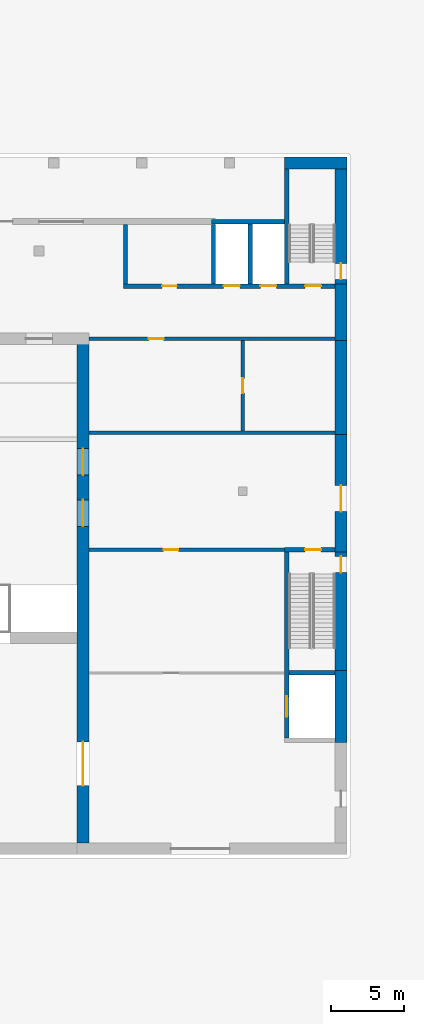
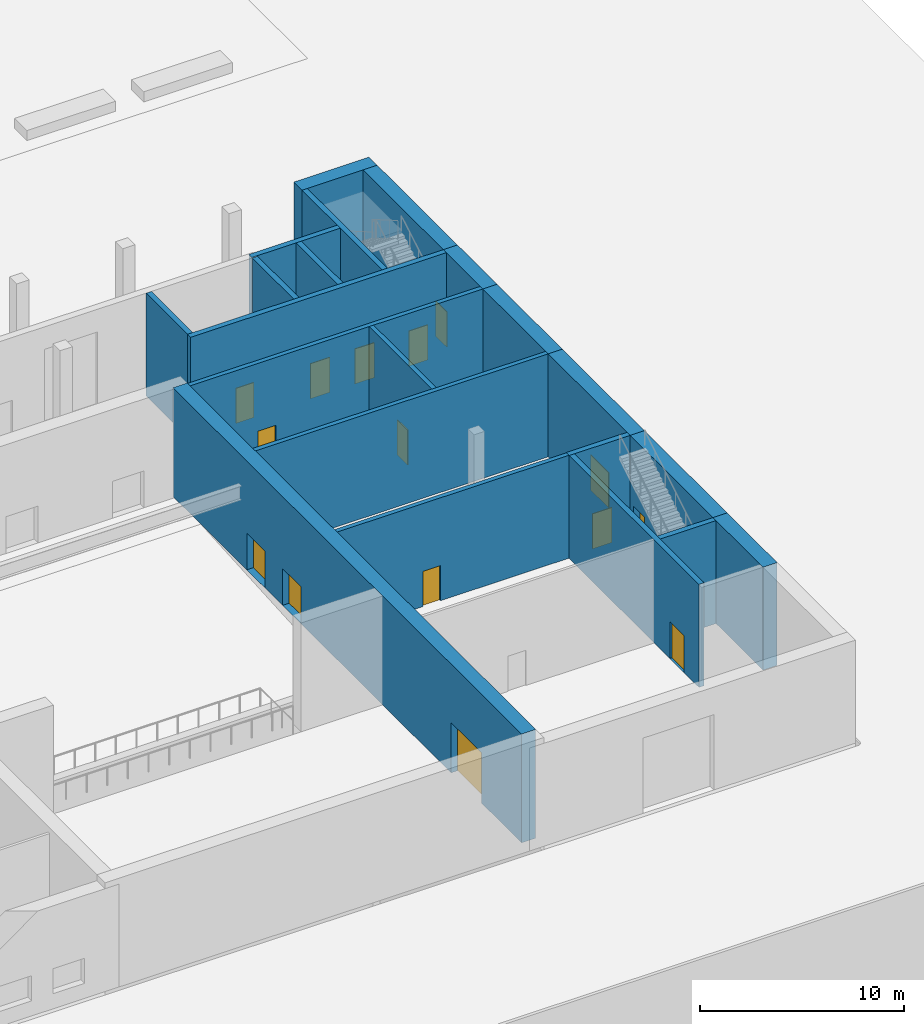
# One storey, part 31 of 51: 21 walls, 15 doors, 15 openings.
"""IFC4 building model written with IfcOpenShell, lengths in metres."""

import ifcopenshell
import ifcopenshell.guid

model = None  # the IFC model being written
_history = None  # IfcOwnerHistory: only IFC2X3 demands one
_inside = {}  # id of a spatial element -> (the spatial element, [elements in it])
_under = {}  # id of a project, library or spatial element -> (it, [spatial elements below it])
_declared = {}  # id of a project -> (the project, [libraries it declares])
_typed = {}  # id of a type object -> (the type object, [elements of that type])
_made_of = {}  # id of a material, layer set ... -> (it, [elements and type objects made of it])


def new_model(schema):
    """Start an empty IFC model of exactly this schema.

    Asked for "IFC4X3", IfcOpenShell would pick the latest addendum, in which some entities
    have other attributes; the version numbers below select the first issue.
    IFC2X3 requires an IfcOwnerHistory on every rooted entity: one is made here for all.
    """
    global model, _history
    if schema == "IFC4X3":
        model = ifcopenshell.file(schema_version=(4, 3, 0, 0))
    else:
        model = ifcopenshell.file(schema=schema)
    _inside.clear()
    _under.clear()
    _declared.clear()
    _typed.clear()
    _made_of.clear()
    _history = None
    if model.schema == "IFC2X3":
        org = make("IfcOrganization", Name="unknown")
        user = make(
            "IfcPersonAndOrganization",
            ThePerson=make("IfcPerson", FamilyName="unknown"),
            TheOrganization=org,
        )
        app = make(
            "IfcApplication",
            ApplicationDeveloper=org,
            Version="unknown",
            ApplicationFullName="unknown",
            ApplicationIdentifier="unknown",
        )
        _history = make(
            "IfcOwnerHistory",
            OwningUser=user,
            OwningApplication=app,
            ChangeAction="ADDED",
            CreationDate=0,
        )
    return model


def make(cls, **values):
    """One entity of the class cls with the attributes given. An attribute that is None is left unset."""
    return model.create_entity(
        cls, **{name: value for name, value in values.items() if value is not None}
    )


def rooted(cls, **values):
    """An entity with a GlobalId (a new one), such as an element, a storey or a relation."""
    return make(cls, GlobalId=ifcopenshell.guid.new(), OwnerHistory=_history, **values)


def si_unit(unit_type, name, prefix=None):
    """IfcSIUnit, for example si_unit("LENGTHUNIT", "METRE", prefix="MILLI")."""
    return make("IfcSIUnit", UnitType=unit_type, Prefix=prefix, Name=name)


def assignment(units):
    """IfcUnitAssignment: the units of a project."""
    return None if units is None else make("IfcUnitAssignment", Units=units)


def point(xyz):
    """IfcCartesianPoint."""
    return None if xyz is None else make("IfcCartesianPoint", Coordinates=xyz)


def direction(xyz):
    """IfcDirection."""
    return None if xyz is None else make("IfcDirection", DirectionRatios=xyz)


def frame(location, z_axis=None, x_axis=None):
    """IfcAxis2Placement3D, a coordinate frame: its origin and axes. An axis left out is left unset."""
    return make(
        "IfcAxis2Placement3D",
        Location=point(location),
        Axis=direction(z_axis),
        RefDirection=direction(x_axis),
    )


def frame_2d(location, x_axis=None):
    """IfcAxis2Placement2D, a coordinate frame in the plane: its origin and x axis."""
    return make(
        "IfcAxis2Placement2D", Location=point(location), RefDirection=direction(x_axis)
    )


def origin():
    """The frame at (0, 0, 0) with its axes left unset."""
    return frame((0.0, 0.0, 0.0))


def place(relative_to, where):
    """IfcLocalPlacement: puts the frame where relative to a parent placement (None: the world)."""
    return make(
        "IfcLocalPlacement", PlacementRelTo=relative_to, RelativePlacement=where
    )


def context(
    kind, dimensions, precision=None, world=None, true_north=None, identifier=None
):
    """IfcGeometricRepresentationContext, for example the 3D "Model" context."""
    return make(
        "IfcGeometricRepresentationContext",
        ContextIdentifier=identifier,
        ContextType=kind,
        CoordinateSpaceDimension=dimensions,
        Precision=precision,
        WorldCoordinateSystem=world,
        TrueNorth=true_north,
    )


def subcontext(parent, identifier, kind, view, scale=None):
    """IfcGeometricRepresentationSubContext, for example "Body" below "Model"."""
    return make(
        "IfcGeometricRepresentationSubContext",
        ContextIdentifier=identifier,
        ContextType=kind,
        ParentContext=parent,
        TargetScale=scale,
        TargetView=view,
    )


def project(units=None, contexts=None):
    """IfcProject with its units and contexts."""
    return rooted(
        "IfcProject",
        Name="project",
        RepresentationContexts=contexts,
        UnitsInContext=assignment(units),
    )


def spatial(cls, under=None, at=None, **own):
    """A site, building, storey or space (cls), placed at a placement, below another one or the project."""
    s = rooted(cls, ObjectPlacement=at, **own)
    if under is not None:
        _under.setdefault(under.id(), (under, []))[1].append(s)
    return s


def profile(cls, at=None, kind="AREA", **sizes):
    """A parametric profile (cls). Its sizes go by their IFC names, for example OverallWidth=200.0."""
    return make(cls, ProfileType=kind, Position=at, **sizes)


def rectangle(**sizes):
    """IfcRectangleProfileDef."""
    return profile("IfcRectangleProfileDef", **sizes)


def extrude(swept, where, along, depth):
    """IfcExtrudedAreaSolid: the profile swept, set in the frame where, extruded along a direction by depth."""
    return make(
        "IfcExtrudedAreaSolid",
        SweptArea=swept,
        Position=where,
        ExtrudedDirection=direction(along),
        Depth=depth,
    )


def shape(context_of_items, identifier, shape_type, items):
    """IfcShapeRepresentation: the items that make up one representation, for example the "Body"."""
    return make(
        "IfcShapeRepresentation",
        ContextOfItems=context_of_items,
        RepresentationIdentifier=identifier,
        RepresentationType=shape_type,
        Items=items,
    )


def material(Name=None, Category=None):
    """IfcMaterial."""
    return make("IfcMaterial", Name=Name, Category=Category)


def layer(
    of_material, thickness, ventilated=None, Name=None, Category=None, Priority=None
):
    """IfcMaterialLayer: one layer of a wall or slab, of a material (None: an air gap)."""
    return make(
        "IfcMaterialLayer",
        Material=of_material,
        LayerThickness=thickness,
        IsVentilated=ventilated,
        Name=Name,
        Category=Category,
        Priority=Priority,
    )


def layer_set(layers, Name=None):
    """IfcMaterialLayerSet."""
    return make("IfcMaterialLayerSet", MaterialLayers=layers, LayerSetName=Name)


def made_of(thing, what):
    """Note that an element or type object is made of a material, layer set ...; save() writes the relation."""
    if what is not None:
        _made_of.setdefault(what.id(), (what, []))[1].append(thing)
    return thing


def type_object(cls, material=None, **own):
    """A type object (cls), such as IfcWallType, which elements share."""
    return made_of(rooted(cls, **own), material)


def element(
    cls,
    number,
    at=None,
    inside=None,
    cuts=None,
    type_object=None,
    material=None,
    context=None,
    identifier="Body",
    shape_type=None,
    held_by="IfcProductDefinitionShape",
    body=None,
    shapes=None,
    **own,
):
    """One element of the class cls, such as IfcWall. Its Tag is "e" and its number.

    at: its placement. inside: the storey or other place that contains it. cuts: it is an
    opening in that element (IfcRelVoidsElement). A single representation is given by context,
    identifier, shape_type and body (its items); several are given by shapes. held_by: the class
    of the entity that holds the representations. save() writes the other relations.
    """
    e = rooted(cls, Tag="e%d" % number, ObjectPlacement=at, **own)
    if body is not None:
        shapes = [shape(context, identifier, shape_type, body)]
    if shapes is not None:
        e.Representation = make(held_by, Representations=shapes)
    if inside is not None:
        _inside.setdefault(inside.id(), (inside, []))[1].append(e)
    if cuts is not None:
        rooted(
            "IfcRelVoidsElement", RelatingBuildingElement=cuts, RelatedOpeningElement=e
        )
    if type_object is not None:
        _typed.setdefault(type_object.id(), (type_object, []))[1].append(e)
    return made_of(e, material)


def fill(opening, filler):
    """IfcRelFillsElement: the door or window that sits in an opening."""
    return rooted(
        "IfcRelFillsElement",
        RelatingOpeningElement=opening,
        RelatedBuildingElement=filler,
    )


def aggregate(whole, parts):
    """IfcRelAggregates: a whole, such as a stair, and the parts it consists of."""
    return rooted("IfcRelAggregates", RelatingObject=whole, RelatedObjects=parts)


def save(model, path):
    """Write the relations noted so far, then the file.

    IfcRelAggregates (storeys below a building ...), IfcRelContainedInSpatialStructure (elements
    in a storey), IfcRelDefinesByType, IfcRelAssociatesMaterial and IfcRelDeclares: one each for
    every whole, place, type object, material and project.
    """
    for whole, parts in _under.values():
        aggregate(whole, parts)
    for where, things in _inside.values():
        rooted(
            "IfcRelContainedInSpatialStructure",
            RelatedElements=things,
            RelatingStructure=where,
        )
    for kind, things in _typed.values():
        rooted("IfcRelDefinesByType", RelatedObjects=things, RelatingType=kind)
    for what, things in _made_of.values():
        rooted("IfcRelAssociatesMaterial", RelatedObjects=things, RelatingMaterial=what)
    for by, libraries in _declared.values():
        rooted("IfcRelDeclares", RelatingContext=by, RelatedDefinitions=libraries)
    model.write(path)


model = new_model("IFC4")

# Units and contexts
model_context = context("Model", 3, precision=1e-05, world=origin(), true_north=direction((0.0, 1.0)))
body_context = subcontext(model_context, "Body", "Model", "MODEL_VIEW")
ifc_project = project(units=[si_unit("LENGTHUNIT", "METRE"), si_unit("AREAUNIT", "SQUARE_METRE"), si_unit("VOLUMEUNIT", "CUBIC_METRE"), si_unit("PLANEANGLEUNIT", "RADIAN"), si_unit("MASSUNIT", "GRAM", prefix="KILO")], contexts=[model_context])

# Site, building, storey
site_placement = place(None, origin())
site = spatial("IfcSite", under=ifc_project, at=site_placement, CompositionType="ELEMENT")
building_placement = place(site_placement, origin())
building = spatial("IfcBuilding", under=site, at=building_placement, Name="Kiln Ring Residences", CompositionType="ELEMENT")
storey_placement = place(building_placement, origin())
storey = spatial("IfcBuildingStorey", under=building, at=storey_placement, Name="L00", CompositionType="ELEMENT", Elevation=0.0)

# Wall, openings, doors
ifc_material_1 = material(Name="Concrete C40/50", Category="concrete")
ifc_layer_1 = layer(ifc_material_1, 0.800048828125)
ifc_layer_set_1 = layer_set([ifc_layer_1], Name="Hall Board-marked concrete C40/50 hall wall 800 internal")
wall_type_1 = type_object("IfcWallType", Name="Hall Board-marked concrete C40/50 hall wall 800 internal", PredefinedType="SOLIDWALL", material=ifc_layer_set_1)
wall_1_placement = place(storey_placement, frame((12.0, -159.199951171875, 0.0), z_axis=(0.0, 0.0, 1.0), x_axis=(0.0, 1.0, 0.0)))
wall_1 = element("IfcWall", 1, at=wall_1_placement, inside=storey, type_object=wall_type_1, Name="Hall wall L00 45", PredefinedType="SOLIDWALL", context=body_context, shape_type="SweptSolid", body=[
    extrude(rectangle(XDim=34.125, YDim=0.800048828125, at=frame_2d((17.0625, 0.0))), origin(), (0.0, 0.0, 1.0), 6.5),
])
opening_1_placement = place(wall_1_placement, frame((21.60009765625, 0.0, 0.0)))
opening_1 = element("IfcOpeningElement", 2, at=opening_1_placement, cuts=wall_1, Name="Opening L00-31", PredefinedType="OPENING", context=body_context, shape_type="SweptSolid", body=[
    extrude(rectangle(XDim=1.800048828125, YDim=2.199951171875, at=frame_2d((0.89990234375, 1.10009765625))), frame((0.0, 0.409912109375, 0.0), z_axis=(0.0, -1.0, 0.0), x_axis=(1.0, 0.0, 0.0)), (0.0, 0.0, 1.0), 0.820068359375),
])
opening_2_placement = place(wall_1_placement, frame((25.10009765625, 0.0, 0.0)))
opening_2 = element("IfcOpeningElement", 3, at=opening_2_placement, cuts=wall_1, Name="Opening L00-32", PredefinedType="OPENING", context=body_context, shape_type="SweptSolid", body=[
    extrude(rectangle(XDim=1.800048828125, YDim=2.199951171875, at=frame_2d((0.89990234375, 1.10009765625))), frame((0.0, 0.409912109375, 0.0), z_axis=(0.0, -1.0, 0.0), x_axis=(1.0, 0.0, 0.0)), (0.0, 0.0, 1.0), 0.820068359375),
])
opening_3_placement = place(wall_1_placement, frame((3.89990234375, 0.0, 0.0)))
opening_3 = element("IfcOpeningElement", 4, at=opening_3_placement, cuts=wall_1, Name="Opening L00-47", PredefinedType="OPENING", context=body_context, shape_type="SweptSolid", body=[
    extrude(rectangle(XDim=3.0, YDim=3.0, at=frame_2d((1.5, 1.5))), frame((0.0, 0.409912109375, 0.0), z_axis=(0.0, -1.0, 0.0), x_axis=(1.0, 0.0, 0.0)), (0.0, 0.0, 1.0), 0.820068359375),
])
ifc_material_2 = material(Name="Steel door leaf", Category="steel")
door_type_1 = type_object("IfcDoorType", Name="Hall Auditorium double door 1800 x 2200", OperationType="DOUBLE_DOOR_SINGLE_SWING", PredefinedType="DOOR", material=ifc_material_2)
door_1_placement = place(opening_1_placement, origin())
door_1 = element("IfcDoor", 5, at=door_1_placement, inside=storey, type_object=door_type_1, Name="Hall door L00-31", OperationType="DOUBLE_DOOR_SINGLE_SWING", OverallHeight=2.199951171875, OverallWidth=1.800048828125, PredefinedType="DOOR", context=body_context, shape_type="SweptSolid", body=[
    extrude(rectangle(XDim=1.800048828125, YDim=2.199951171875, at=frame_2d((0.89990234375, 1.10009765625))), frame((0.0, 0.02490234375, 0.0), z_axis=(0.0, -1.0, 0.0), x_axis=(1.0, 0.0, 0.0)), (0.0, 0.0, 1.0), 0.050048828125),
])
fill(opening_1, door_1)
door_2_placement = place(opening_2_placement, origin())
door_2 = element("IfcDoor", 6, at=door_2_placement, inside=storey, type_object=door_type_1, Name="Hall door L00-32", OperationType="DOUBLE_DOOR_SINGLE_SWING", OverallHeight=2.199951171875, OverallWidth=1.800048828125, PredefinedType="DOOR", context=body_context, shape_type="SweptSolid", body=[
    extrude(rectangle(XDim=1.800048828125, YDim=2.199951171875, at=frame_2d((0.89990234375, 1.10009765625))), frame((0.0, 0.02490234375, 0.0), z_axis=(0.0, -1.0, 0.0), x_axis=(1.0, 0.0, 0.0)), (0.0, 0.0, 1.0), 0.050048828125),
])
fill(opening_2, door_2)
ifc_material_3 = material(Name="Steel door leaf", Category="steel")
door_type_2 = type_object("IfcDoorType", Name="Hall Stage door 3000 x 3000", OperationType="DOUBLE_DOOR_DOUBLE_SWING", PredefinedType="DOOR", material=ifc_material_3)
door_3_placement = place(opening_3_placement, origin())
door_3 = element("IfcDoor", 7, at=door_3_placement, inside=storey, type_object=door_type_2, Name="Hall door L00-47", OperationType="DOUBLE_DOOR_DOUBLE_SWING", OverallHeight=3.0, OverallWidth=3.0, PredefinedType="DOOR", context=body_context, shape_type="SweptSolid", body=[
    extrude(rectangle(XDim=3.0, YDim=3.0, at=frame_2d((1.5, 1.5))), frame((0.0, 0.02490234375, 0.0), z_axis=(0.0, -1.0, 0.0), x_axis=(1.0, 0.0, 0.0)), (0.0, 0.0, 1.0), 0.050048828125),
])
fill(opening_3, door_3)

# Walls
ifc_material_4 = material(Name="Concrete C40/50", Category="concrete")
ifc_layer_2 = layer(ifc_material_4, 0.800048828125)
ifc_layer_set_2 = layer_set([ifc_layer_2], Name="Hall Exposed brick-faced reinforced concrete C40/50 wall 800")
wall_type_2 = type_object("IfcWallType", Name="Hall Exposed brick-faced reinforced concrete C40/50 wall 800", PredefinedType="SOLIDWALL", material=ifc_layer_set_2)
wall_2_placement = place(storey_placement, frame((25.75, -112.800048828125, 0.0), z_axis=(0.0, 0.0, 1.0), x_axis=(1.0, 0.0, 0.0)))
element("IfcWall", 8, at=wall_2_placement, inside=storey, type_object=wall_type_2, Name="Hall wall L00 29", PredefinedType="SOLIDWALL", context=body_context, shape_type="SweptSolid", body=[
    extrude(rectangle(XDim=4.25, YDim=0.800048828125, at=frame_2d((2.125, 0.0))), origin(), (0.0, 0.0, 1.0), 6.14990234375),
])
wall_3_placement = place(storey_placement, frame((29.60009765625, -147.4501953125, 0.0), z_axis=(0.0, 0.0, 1.0), x_axis=(0.0, -1.0, 0.0)))
element("IfcWall", 9, at=wall_3_placement, inside=storey, type_object=wall_type_2, Name="Hall wall L00 53", PredefinedType="SOLIDWALL", context=body_context, shape_type="SweptSolid", body=[
    extrude(rectangle(XDim=4.899658203125, YDim=0.800048828125, at=frame_2d((2.44970703125, 0.0))), origin(), (0.0, 0.0, 1.0), 6.14990234375),
])

# Wall, opening, door
wall_4_placement = place(storey_placement, frame((29.60009765625, -139.050048828125, 0.0), z_axis=(0.0, 0.0, 1.0), x_axis=(0.0, -1.0, 0.0)))
wall_4 = element("IfcWall", 10, at=wall_4_placement, inside=storey, type_object=wall_type_2, Name="Hall wall L00 54", PredefinedType="SOLIDWALL", context=body_context, shape_type="SweptSolid", body=[
    extrude(rectangle(XDim=8.699951171875, YDim=0.800048828125, at=frame_2d((4.35009765625, 0.0))), origin(), (0.0, 0.0, 1.0), 6.14990234375),
])
opening_4_placement = place(wall_4_placement, frame((0.60009765625, 0.0, 0.0)))
opening_4 = element("IfcOpeningElement", 11, at=opening_4_placement, cuts=wall_4, Name="Opening L00-22", PredefinedType="OPENING", context=body_context, shape_type="SweptSolid", body=[
    extrude(rectangle(XDim=1.10009765625, YDim=2.10009765625, at=frame_2d((0.550048828125, 1.050048828125))), frame((0.0, 0.409912109375, 0.0), z_axis=(0.0, -1.0, 0.0), x_axis=(1.0, 0.0, 0.0)), (0.0, 0.0, 1.0), 0.820068359375),
])
ifc_material_5 = material(Name="Aluminium framed glazed door", Category="aluminium")
door_type_3 = type_object("IfcDoorType", Name="Hall Exit door 1100 x 2100", OperationType="SINGLE_SWING_LEFT", PredefinedType="DOOR", material=ifc_material_5)
door_4_placement = place(opening_4_placement, origin())
door_4 = element("IfcDoor", 12, at=door_4_placement, inside=storey, type_object=door_type_3, Name="Hall door L00-22", OperationType="SINGLE_SWING_RIGHT", OverallHeight=2.10009765625, OverallWidth=1.10009765625, PredefinedType="DOOR", context=body_context, shape_type="SweptSolid", body=[
    extrude(rectangle(XDim=1.10009765625, YDim=2.10009765625, at=frame_2d((0.550048828125, 1.050048828125))), frame((0.0, 0.02490234375, 0.0), z_axis=(0.0, -1.0, 0.0), x_axis=(1.0, 0.0, 0.0)), (0.0, 0.0, 1.0), 0.050048828125),
])
fill(opening_4, door_4)

wall_5_placement = place(storey_placement, frame((29.60009765625, -131.0751953125, 0.0), z_axis=(0.0, 0.0, 1.0), x_axis=(0.0, -1.0, 0.0)))
wall_5 = element("IfcWall", 13, at=wall_5_placement, inside=storey, type_object=wall_type_2, Name="Hall wall L00 55", PredefinedType="SOLIDWALL", context=body_context, shape_type="SweptSolid", body=[
    extrude(rectangle(XDim=8.274658203125, YDim=0.800048828125, at=frame_2d((4.13720703125, 0.0))), origin(), (0.0, 0.0, 1.0), 6.14990234375),
])
opening_5_placement = place(wall_5_placement, frame((3.724853515625, 0.0, 0.0)))
opening_5 = element("IfcOpeningElement", 14, at=opening_5_placement, cuts=wall_5, Name="Opening L00-34", PredefinedType="OPENING", context=body_context, shape_type="SweptSolid", body=[
    extrude(rectangle(XDim=1.800048828125, YDim=2.10009765625, at=frame_2d((0.89990234375, 1.050048828125))), frame((0.0, 0.409912109375, 0.0), z_axis=(0.0, -1.0, 0.0), x_axis=(1.0, 0.0, 0.0)), (0.0, 0.0, 1.0), 0.820068359375),
])
ifc_material_6 = material(Name="Aluminium framed glazed door", Category="aluminium")
door_type_4 = type_object("IfcDoorType", Name="Hall Exit double door 1800 x 2100", OperationType="DOUBLE_DOOR_SINGLE_SWING", PredefinedType="DOOR", material=ifc_material_6)
door_5_placement = place(opening_5_placement, origin())
door_5 = element("IfcDoor", 15, at=door_5_placement, inside=storey, type_object=door_type_4, Name="Hall door L00-34", OperationType="DOUBLE_DOOR_SINGLE_SWING", OverallHeight=2.10009765625, OverallWidth=1.800048828125, PredefinedType="DOOR", context=body_context, shape_type="SweptSolid", body=[
    extrude(rectangle(XDim=1.800048828125, YDim=2.10009765625, at=frame_2d((0.89990234375, 1.050048828125))), frame((0.0, 0.02490234375, 0.0), z_axis=(0.0, -1.0, 0.0), x_axis=(1.0, 0.0, 0.0)), (0.0, 0.0, 1.0), 0.050048828125),
])
fill(opening_5, door_5)

# Walls
wall_6_placement = place(storey_placement, frame((29.60009765625, -124.675048828125, 0.0), z_axis=(0.0, 0.0, 1.0), x_axis=(0.0, -1.0, 0.0)))
element("IfcWall", 16, at=wall_6_placement, inside=storey, type_object=wall_type_2, Name="Hall wall L00 56", PredefinedType="SOLIDWALL", context=body_context, shape_type="SweptSolid", body=[
    extrude(rectangle(XDim=6.64990234375, YDim=0.800048828125, at=frame_2d((3.324951171875, 0.0))), origin(), (0.0, 0.0, 1.0), 6.14990234375),
])
wall_7_placement = place(storey_placement, frame((29.60009765625, -121.050048828125, 0.0), z_axis=(0.0, 0.0, 1.0), x_axis=(0.0, -1.0, 0.0)))
element("IfcWall", 17, at=wall_7_placement, inside=storey, type_object=wall_type_2, Name="Hall wall L00 57", PredefinedType="SOLIDWALL", context=body_context, shape_type="SweptSolid", body=[
    extrude(rectangle(XDim=3.874755859375, YDim=0.800048828125, at=frame_2d((1.9375, 0.0))), origin(), (0.0, 0.0, 1.0), 6.14990234375),
])

# Wall, opening, door
wall_8_placement = place(storey_placement, frame((29.60009765625, -113.199951171875, 0.0), z_axis=(0.0, 0.0, 1.0), x_axis=(0.0, -1.0, 0.0)))
wall_8 = element("IfcWall", 18, at=wall_8_placement, inside=storey, type_object=wall_type_2, Name="Hall wall L00 58", PredefinedType="SOLIDWALL", context=body_context, shape_type="SweptSolid", body=[
    extrude(rectangle(XDim=8.14990234375, YDim=0.800048828125, at=frame_2d((4.074951171875, 0.0))), origin(), (0.0, 0.0, 1.0), 6.14990234375),
])
opening_6_placement = place(wall_8_placement, frame((6.449951171875, 0.0, 0.0)))
opening_6 = element("IfcOpeningElement", 19, at=opening_6_placement, cuts=wall_8, Name="Opening L00-20", PredefinedType="OPENING", context=body_context, shape_type="SweptSolid", body=[
    extrude(rectangle(XDim=1.10009765625, YDim=2.10009765625, at=frame_2d((0.550048828125, 1.050048828125))), frame((0.0, 0.409912109375, 0.0), z_axis=(0.0, -1.0, 0.0), x_axis=(1.0, 0.0, 0.0)), (0.0, 0.0, 1.0), 0.820068359375),
])
door_6_placement = place(opening_6_placement, origin())
door_6 = element("IfcDoor", 20, at=door_6_placement, inside=storey, type_object=door_type_3, Name="Hall door L00-20", OperationType="SINGLE_SWING_RIGHT", OverallHeight=2.10009765625, OverallWidth=1.10009765625, PredefinedType="DOOR", context=body_context, shape_type="SweptSolid", body=[
    extrude(rectangle(XDim=1.10009765625, YDim=2.10009765625, at=frame_2d((0.550048828125, 1.050048828125))), frame((0.0, 0.02490234375, 0.0), z_axis=(0.0, -1.0, 0.0), x_axis=(1.0, 0.0, 0.0)), (0.0, 0.0, 1.0), 0.050048828125),
])
fill(opening_6, door_6)

# Wall
ifc_material_7 = material(Name="Concrete C40/50", Category="concrete")
ifc_layer_3 = layer(ifc_material_7, 0.300048828125)
ifc_layer_set_3 = layer_set([ifc_layer_3], Name="Hall Reinforced concrete C40/50 core wall 300")
wall_type_3 = type_object("IfcWallType", Name="Hall Reinforced concrete C40/50 core wall 300", PredefinedType="SOLIDWALL", material=ifc_layer_set_3)
wall_9_placement = place(storey_placement, frame((26.050048828125, -147.60009765625, 0.0), z_axis=(0.0, 0.0, 1.0), x_axis=(1.0, 0.0, 0.0)))
element("IfcWall", 21, at=wall_9_placement, inside=storey, type_object=wall_type_3, Name="Hall wall L00 11", PredefinedType="SOLIDWALL", context=body_context, shape_type="SweptSolid", body=[
    extrude(rectangle(XDim=3.14990234375, YDim=0.300048828125, at=frame_2d((1.574951171875, 0.0))), origin(), (0.0, 0.0, 1.0), 6.14990234375),
])

# Wall, opening, door
wall_10_placement = place(storey_placement, frame((25.75, -139.199951171875, 0.0), z_axis=(0.0, 0.0, 1.0), x_axis=(1.0, 0.0, 0.0)))
wall_10 = element("IfcWall", 22, at=wall_10_placement, inside=storey, type_object=wall_type_3, Name="Hall wall L00 17", PredefinedType="SOLIDWALL", context=body_context, shape_type="SweptSolid", body=[
    extrude(rectangle(XDim=3.449951171875, YDim=0.300048828125, at=frame_2d((1.72509765625, 0.0))), origin(), (0.0, 0.0, 1.0), 6.14990234375),
])
opening_7_placement = place(wall_10_placement, frame((1.39990234375, 0.0, 0.0)))
opening_7 = element("IfcOpeningElement", 23, at=opening_7_placement, cuts=wall_10, Name="Opening L00-09", PredefinedType="OPENING", context=body_context, shape_type="SweptSolid", body=[
    extrude(rectangle(XDim=1.10009765625, YDim=2.10009765625, at=frame_2d((0.550048828125, 1.050048828125))), frame((0.0, 0.159912109375, 0.0), z_axis=(0.0, -1.0, 0.0), x_axis=(1.0, 0.0, 0.0)), (0.0, 0.0, 1.0), 0.320068359375),
])
ifc_material_8 = material(Name="Steel door leaf", Category="steel")
door_type_5 = type_object("IfcDoorType", Name="Hall Stair door 1100 x 2100", OperationType="SINGLE_SWING_LEFT", PredefinedType="DOOR", material=ifc_material_8)
door_7_placement = place(opening_7_placement, origin())
door_7 = element("IfcDoor", 24, at=door_7_placement, inside=storey, type_object=door_type_5, Name="Hall door L00-09", OperationType="SINGLE_SWING_LEFT", OverallHeight=2.10009765625, OverallWidth=1.10009765625, PredefinedType="DOOR", context=body_context, shape_type="SweptSolid", body=[
    extrude(rectangle(XDim=1.10009765625, YDim=2.10009765625, at=frame_2d((0.550048828125, 1.050048828125))), frame((0.0, 0.02490234375, 0.0), z_axis=(0.0, -1.0, 0.0), x_axis=(1.0, 0.0, 0.0)), (0.0, 0.0, 1.0), 0.050048828125),
])
fill(opening_7, door_7)

# Wall, openings, doors
wall_11_placement = place(storey_placement, frame((14.75, -121.199951171875, 0.0), z_axis=(0.0, 0.0, 1.0), x_axis=(1.0, 0.0, 0.0)))
wall_11 = element("IfcWall", 25, at=wall_11_placement, inside=storey, type_object=wall_type_3, Name="Hall wall L00 24", PredefinedType="SOLIDWALL", context=body_context, shape_type="SweptSolid", body=[
    extrude(rectangle(XDim=14.449951171875, YDim=0.300048828125, at=frame_2d((7.22509765625, 0.0))), origin(), (0.0, 0.0, 1.0), 6.14990234375),
])
opening_8_placement = place(wall_11_placement, frame((6.85009765625, 0.0, 0.0)))
opening_8 = element("IfcOpeningElement", 26, at=opening_8_placement, cuts=wall_11, Name="Opening L00-03", PredefinedType="OPENING", context=body_context, shape_type="SweptSolid", body=[
    extrude(rectangle(XDim=1.10009765625, YDim=2.10009765625, at=frame_2d((0.550048828125, 1.050048828125))), frame((0.0, 0.159912109375, 0.0), z_axis=(0.0, -1.0, 0.0), x_axis=(1.0, 0.0, 0.0)), (0.0, 0.0, 1.0), 0.320068359375),
])
opening_9_placement = place(wall_11_placement, frame((9.35009765625, 0.0, 0.0)))
opening_9 = element("IfcOpeningElement", 27, at=opening_9_placement, cuts=wall_11, Name="Opening L00-04", PredefinedType="OPENING", context=body_context, shape_type="SweptSolid", body=[
    extrude(rectangle(XDim=1.10009765625, YDim=2.10009765625, at=frame_2d((0.550048828125, 1.050048828125))), frame((0.0, 0.159912109375, 0.0), z_axis=(0.0, -1.0, 0.0), x_axis=(1.0, 0.0, 0.0)), (0.0, 0.0, 1.0), 0.320068359375),
])
opening_10_placement = place(wall_11_placement, frame((12.39990234375, 0.0, 0.0)))
opening_10 = element("IfcOpeningElement", 28, at=opening_10_placement, cuts=wall_11, Name="Opening L00-07", PredefinedType="OPENING", context=body_context, shape_type="SweptSolid", body=[
    extrude(rectangle(XDim=1.10009765625, YDim=2.10009765625, at=frame_2d((0.550048828125, 1.050048828125))), frame((0.0, 0.159912109375, 0.0), z_axis=(0.0, -1.0, 0.0), x_axis=(1.0, 0.0, 0.0)), (0.0, 0.0, 1.0), 0.320068359375),
])
opening_11_placement = place(wall_11_placement, frame((2.64990234375, 0.0, 0.0)))
opening_11 = element("IfcOpeningElement", 29, at=opening_11_placement, cuts=wall_11, Name="Opening L00-11", PredefinedType="OPENING", context=body_context, shape_type="SweptSolid", body=[
    extrude(rectangle(XDim=1.0, YDim=2.10009765625, at=frame_2d((0.5, 1.050048828125))), frame((0.0, 0.159912109375, 0.0), z_axis=(0.0, -1.0, 0.0), x_axis=(1.0, 0.0, 0.0)), (0.0, 0.0, 1.0), 0.320068359375),
])
ifc_material_9 = material(Name="Steel door leaf", Category="steel")
door_type_6 = type_object("IfcDoorType", Name="Hall Lift landing door 1100 x 2100", OperationType="DOUBLE_DOOR_SLIDING", PredefinedType="DOOR", material=ifc_material_9)
door_8_placement = place(opening_8_placement, origin())
door_8 = element("IfcDoor", 30, at=door_8_placement, inside=storey, type_object=door_type_6, Name="Hall door L00-03", OperationType="DOUBLE_DOOR_SLIDING", OverallHeight=2.10009765625, OverallWidth=1.10009765625, PredefinedType="DOOR", context=body_context, shape_type="SweptSolid", body=[
    extrude(rectangle(XDim=1.10009765625, YDim=2.10009765625, at=frame_2d((0.550048828125, 1.050048828125))), frame((0.0, 0.02490234375, 0.0), z_axis=(0.0, -1.0, 0.0), x_axis=(1.0, 0.0, 0.0)), (0.0, 0.0, 1.0), 0.050048828125),
])
fill(opening_8, door_8)
door_9_placement = place(opening_9_placement, origin())
door_9 = element("IfcDoor", 31, at=door_9_placement, inside=storey, type_object=door_type_6, Name="Hall door L00-04", OperationType="DOUBLE_DOOR_SLIDING", OverallHeight=2.10009765625, OverallWidth=1.10009765625, PredefinedType="DOOR", context=body_context, shape_type="SweptSolid", body=[
    extrude(rectangle(XDim=1.10009765625, YDim=2.10009765625, at=frame_2d((0.550048828125, 1.050048828125))), frame((0.0, 0.02490234375, 0.0), z_axis=(0.0, -1.0, 0.0), x_axis=(1.0, 0.0, 0.0)), (0.0, 0.0, 1.0), 0.050048828125),
])
fill(opening_9, door_9)
ifc_material_10 = material(Name="Steel door leaf", Category="steel")
door_type_7 = type_object("IfcDoorType", Name="Hall Single door 1000 x 2100", OperationType="SINGLE_SWING_LEFT", PredefinedType="DOOR", material=ifc_material_10)
door_10_placement = place(opening_11_placement, origin())
door_10 = element("IfcDoor", 32, at=door_10_placement, inside=storey, type_object=door_type_7, Name="Hall door L00-11", OperationType="SINGLE_SWING_LEFT", OverallHeight=2.10009765625, OverallWidth=1.0, PredefinedType="DOOR", context=body_context, shape_type="SweptSolid", body=[
    extrude(rectangle(XDim=1.0, YDim=2.10009765625, at=frame_2d((0.5, 1.050048828125))), frame((0.0, 0.02490234375, 0.0), z_axis=(0.0, -1.0, 0.0), x_axis=(1.0, 0.0, 0.0)), (0.0, 0.0, 1.0), 0.050048828125),
])
fill(opening_11, door_10)
door_11_placement = place(opening_10_placement, origin())
door_11 = element("IfcDoor", 33, at=door_11_placement, inside=storey, type_object=door_type_5, Name="Hall door L00-07", OperationType="SINGLE_SWING_LEFT", OverallHeight=2.10009765625, OverallWidth=1.10009765625, PredefinedType="DOOR", context=body_context, shape_type="SweptSolid", body=[
    extrude(rectangle(XDim=1.10009765625, YDim=2.10009765625, at=frame_2d((0.550048828125, 1.050048828125))), frame((0.0, 0.02490234375, 0.0), z_axis=(0.0, -1.0, 0.0), x_axis=(1.0, 0.0, 0.0)), (0.0, 0.0, 1.0), 0.050048828125),
])
fill(opening_10, door_11)

# Walls
wall_12_placement = place(storey_placement, frame((20.75, -116.800048828125, 0.0), z_axis=(0.0, 0.0, 1.0), x_axis=(1.0, 0.0, 0.0)))
element("IfcWall", 34, at=wall_12_placement, inside=storey, type_object=wall_type_3, Name="Hall wall L00 27", PredefinedType="SOLIDWALL", context=body_context, shape_type="SweptSolid", body=[
    extrude(rectangle(XDim=5.0, YDim=0.300048828125, at=frame_2d((2.5, 0.0))), origin(), (0.0, 0.0, 1.0), 6.14990234375),
])
for number, where, z_axis, x_axis, name in (
    (35, (14.89990234375, -121.050048828125, 0.0), (0.0, 0.0, 1.0), (0.0, 1.0, 0.0), "Hall wall L00 46"),
    (36, (20.89990234375, -121.050048828125, 0.0), (0.0, 0.0, 1.0), (0.0, 1.0, 0.0), "Hall wall L00 47"),
):
    element("IfcWall", number, at=place(storey_placement, frame(where, z_axis=z_axis, x_axis=x_axis)), inside=storey, type_object=wall_type_3, Name=name, PredefinedType="SOLIDWALL", context=body_context, shape_type="SweptSolid", body=[
        extrude(rectangle(XDim=4.050048828125, YDim=0.300048828125, at=frame_2d((2.02490234375, 0.0))), origin(), (0.0, 0.0, 1.0), 6.14990234375),
    ])
wall_13_placement = place(storey_placement, frame((23.39990234375, -121.050048828125, 0.0), z_axis=(0.0, 0.0, 1.0), x_axis=(0.0, 1.0, 0.0)))
element("IfcWall", 37, at=wall_13_placement, inside=storey, type_object=wall_type_3, Name="Hall wall L00 49", PredefinedType="SOLIDWALL", context=body_context, shape_type="SweptSolid", body=[
    extrude(rectangle(XDim=4.10009765625, YDim=0.300048828125, at=frame_2d((2.050048828125, 0.0))), origin(), (0.0, 0.0, 1.0), 6.14990234375),
])

# Wall, opening, door
wall_14_placement = place(storey_placement, frame((25.89990234375, -152.050048828125, 0.0), z_axis=(0.0, 0.0, 1.0), x_axis=(0.0, 1.0, 0.0)))
wall_14 = element("IfcWall", 38, at=wall_14_placement, inside=storey, type_object=wall_type_3, Name="Hall wall L00 50", PredefinedType="SOLIDWALL", context=body_context, shape_type="SweptSolid", body=[
    extrude(rectangle(XDim=12.824951171875, YDim=0.300048828125, at=frame_2d((6.41259765625, 0.0))), origin(), (0.0, 0.0, 1.0), 6.14990234375),
])
opening_12_placement = place(wall_14_placement, frame((1.449951171875, 0.0, 0.0)))
opening_12 = element("IfcOpeningElement", 39, at=opening_12_placement, cuts=wall_14, Name="Opening L00-05", PredefinedType="OPENING", context=body_context, shape_type="SweptSolid", body=[
    extrude(rectangle(XDim=1.39990234375, YDim=2.199951171875, at=frame_2d((0.699951171875, 1.10009765625))), frame((0.0, 0.159912109375, 0.0), z_axis=(0.0, -1.0, 0.0), x_axis=(1.0, 0.0, 0.0)), (0.0, 0.0, 1.0), 0.320068359375),
])
ifc_material_11 = material(Name="Steel door leaf", Category="steel")
door_type_8 = type_object("IfcDoorType", Name="Hall Goods lift landing door 1400 x 2200", OperationType="DOUBLE_DOOR_SLIDING", PredefinedType="DOOR", material=ifc_material_11)
door_12_placement = place(opening_12_placement, origin())
door_12 = element("IfcDoor", 40, at=door_12_placement, inside=storey, type_object=door_type_8, Name="Hall door L00-05", OperationType="DOUBLE_DOOR_SLIDING", OverallHeight=2.199951171875, OverallWidth=1.39990234375, PredefinedType="DOOR", context=body_context, shape_type="SweptSolid", body=[
    extrude(rectangle(XDim=1.39990234375, YDim=2.199951171875, at=frame_2d((0.699951171875, 1.10009765625))), frame((0.0, 0.02490234375, 0.0), z_axis=(0.0, -1.0, 0.0), x_axis=(1.0, 0.0, 0.0)), (0.0, 0.0, 1.0), 0.050048828125),
])
fill(opening_12, door_12)

# Wall
wall_15_placement = place(storey_placement, frame((25.89990234375, -121.050048828125, 0.0), z_axis=(0.0, 0.0, 1.0), x_axis=(0.0, 1.0, 0.0)))
element("IfcWall", 41, at=wall_15_placement, inside=storey, type_object=wall_type_3, Name="Hall wall L00 51", PredefinedType="SOLIDWALL", context=body_context, shape_type="SweptSolid", body=[
    extrude(rectangle(XDim=7.85009765625, YDim=0.300048828125, at=frame_2d((3.925048828125, 0.0))), origin(), (0.0, 0.0, 1.0), 6.14990234375),
])

# Wall, opening, door
ifc_material_12 = material(Name="Concrete C40/50", Category="concrete")
ifc_layer_4 = layer(ifc_material_12, 0.25)
ifc_layer_set_4 = layer_set([ifc_layer_4], Name="Hall Reinforced concrete C40/50 wall 250")
wall_type_4 = type_object("IfcWallType", Name="Hall Reinforced concrete C40/50 wall 250", PredefinedType="SOLIDWALL", material=ifc_layer_set_4)
wall_16_placement = place(storey_placement, frame((12.39990234375, -139.199951171875, 0.0), z_axis=(0.0, 0.0, 1.0), x_axis=(1.0, 0.0, 0.0)))
wall_16 = element("IfcWall", 42, at=wall_16_placement, inside=storey, type_object=wall_type_4, Name="Hall wall L00 16", PredefinedType="SOLIDWALL", context=body_context, shape_type="SweptSolid", body=[
    extrude(rectangle(XDim=13.35009765625, YDim=0.25, at=frame_2d((6.675048828125, 0.0))), origin(), (0.0, 0.0, 1.0), 6.14990234375),
])
opening_13_placement = place(wall_16_placement, frame((5.10009765625, 0.0, 0.0)))
opening_13 = element("IfcOpeningElement", 43, at=opening_13_placement, cuts=wall_16, Name="Opening L00-43", PredefinedType="OPENING", context=body_context, shape_type="SweptSolid", body=[
    extrude(rectangle(XDim=1.0, YDim=2.10009765625, at=frame_2d((0.5, 1.050048828125))), frame((0.0, 0.135009765625, 0.0), z_axis=(0.0, -1.0, 0.0), x_axis=(1.0, 0.0, 0.0)), (0.0, 0.0, 1.0), 0.27001953125),
])
door_13_placement = place(opening_13_placement, origin())
door_13 = element("IfcDoor", 44, at=door_13_placement, inside=storey, type_object=door_type_7, Name="Hall door L00-43", OperationType="SINGLE_SWING_LEFT", OverallHeight=2.10009765625, OverallWidth=1.0, PredefinedType="DOOR", context=body_context, shape_type="SweptSolid", body=[
    extrude(rectangle(XDim=1.0, YDim=2.10009765625, at=frame_2d((0.5, 1.050048828125))), frame((0.0, 0.02490234375, 0.0), z_axis=(0.0, -1.0, 0.0), x_axis=(1.0, 0.0, 0.0)), (0.0, 0.0, 1.0), 0.050048828125),
])
fill(opening_13, door_13)

# Wall
wall_17_placement = place(storey_placement, frame((12.39990234375, -131.199951171875, 0.0), z_axis=(0.0, 0.0, 1.0), x_axis=(1.0, 0.0, 0.0)))
element("IfcWall", 45, at=wall_17_placement, inside=storey, type_object=wall_type_4, Name="Hall wall L00 19", PredefinedType="SOLIDWALL", context=body_context, shape_type="SweptSolid", body=[
    extrude(rectangle(XDim=16.800048828125, YDim=0.25, at=frame_2d((8.39990234375, 0.0))), origin(), (0.0, 0.0, 1.0), 6.14990234375),
])

# Wall, opening, door
wall_18_placement = place(storey_placement, frame((12.39990234375, -124.800048828125, 0.0), z_axis=(0.0, 0.0, 1.0), x_axis=(1.0, 0.0, 0.0)))
wall_18 = element("IfcWall", 46, at=wall_18_placement, inside=storey, type_object=wall_type_4, Name="Hall wall L00 22", PredefinedType="SOLIDWALL", context=body_context, shape_type="SweptSolid", body=[
    extrude(rectangle(XDim=16.800048828125, YDim=0.25, at=frame_2d((8.39990234375, 0.0))), origin(), (0.0, 0.0, 1.0), 6.14990234375),
])
opening_14_placement = place(wall_18_placement, frame((4.10009765625, 0.0, 0.0)))
opening_14 = element("IfcOpeningElement", 47, at=opening_14_placement, cuts=wall_18, Name="Opening L00-25", PredefinedType="OPENING", context=body_context, shape_type="SweptSolid", body=[
    extrude(rectangle(XDim=1.0, YDim=2.10009765625, at=frame_2d((0.5, 1.050048828125))), frame((0.0, 0.135009765625, 0.0), z_axis=(0.0, -1.0, 0.0), x_axis=(1.0, 0.0, 0.0)), (0.0, 0.0, 1.0), 0.27001953125),
])
door_14_placement = place(opening_14_placement, origin())
door_14 = element("IfcDoor", 48, at=door_14_placement, inside=storey, type_object=door_type_7, Name="Hall door L00-25", OperationType="SINGLE_SWING_LEFT", OverallHeight=2.10009765625, OverallWidth=1.0, PredefinedType="DOOR", context=body_context, shape_type="SweptSolid", body=[
    extrude(rectangle(XDim=1.0, YDim=2.10009765625, at=frame_2d((0.5, 1.050048828125))), frame((0.0, 0.02490234375, 0.0), z_axis=(0.0, -1.0, 0.0), x_axis=(1.0, 0.0, 0.0)), (0.0, 0.0, 1.0), 0.050048828125),
])
fill(opening_14, door_14)

wall_19_placement = place(storey_placement, frame((22.89990234375, -131.074951171875, 0.0), z_axis=(0.0, 0.0, 1.0), x_axis=(0.0, 1.0, 0.0)))
wall_19 = element("IfcWall", 49, at=wall_19_placement, inside=storey, type_object=wall_type_4, Name="Hall wall L00 48", PredefinedType="SOLIDWALL", context=body_context, shape_type="SweptSolid", body=[
    extrude(rectangle(XDim=6.14990234375, YDim=0.25, at=frame_2d((3.074951171875, 0.0))), origin(), (0.0, 0.0, 1.0), 6.14990234375),
])
opening_15_placement = place(wall_19_placement, frame((2.574951171875, 0.0, 0.0)))
opening_15 = element("IfcOpeningElement", 50, at=opening_15_placement, cuts=wall_19, Name="Opening L00-26", PredefinedType="OPENING", context=body_context, shape_type="SweptSolid", body=[
    extrude(rectangle(XDim=1.0, YDim=2.10009765625, at=frame_2d((0.5, 1.050048828125))), frame((0.0, 0.135009765625, 0.0), z_axis=(0.0, -1.0, 0.0), x_axis=(1.0, 0.0, 0.0)), (0.0, 0.0, 1.0), 0.27001953125),
])
door_15_placement = place(opening_15_placement, origin())
door_15 = element("IfcDoor", 51, at=door_15_placement, inside=storey, type_object=door_type_7, Name="Hall door L00-26", OperationType="SINGLE_SWING_RIGHT", OverallHeight=2.10009765625, OverallWidth=1.0, PredefinedType="DOOR", context=body_context, shape_type="SweptSolid", body=[
    extrude(rectangle(XDim=1.0, YDim=2.10009765625, at=frame_2d((0.5, 1.050048828125))), frame((0.0, 0.02490234375, 0.0), z_axis=(0.0, -1.0, 0.0), x_axis=(1.0, 0.0, 0.0)), (0.0, 0.0, 1.0), 0.050048828125),
])
fill(opening_15, door_15)

save(model, "model.ifc")
